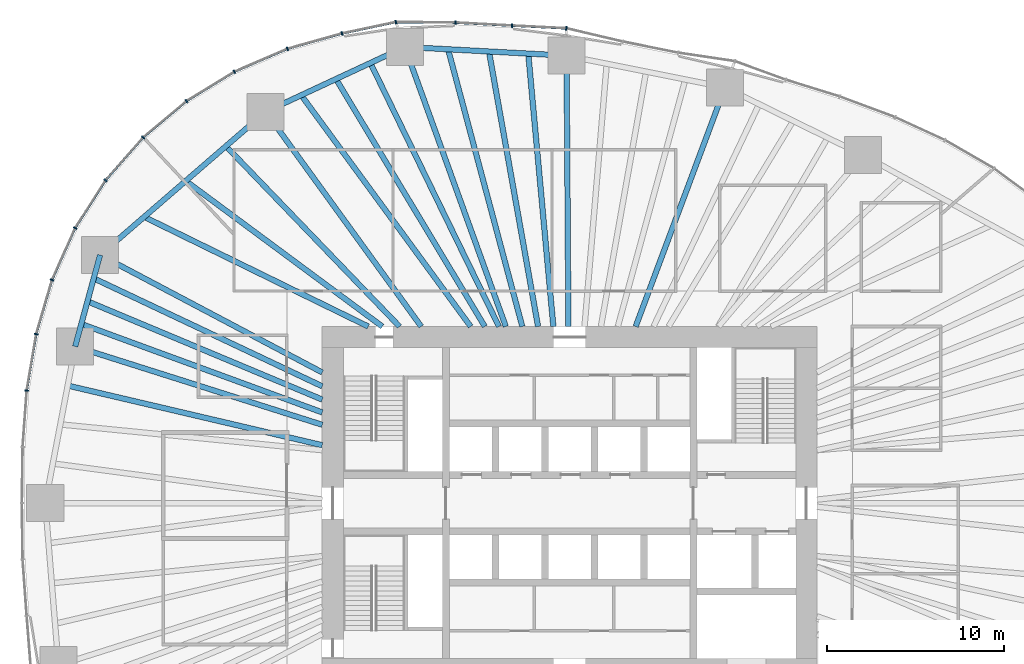
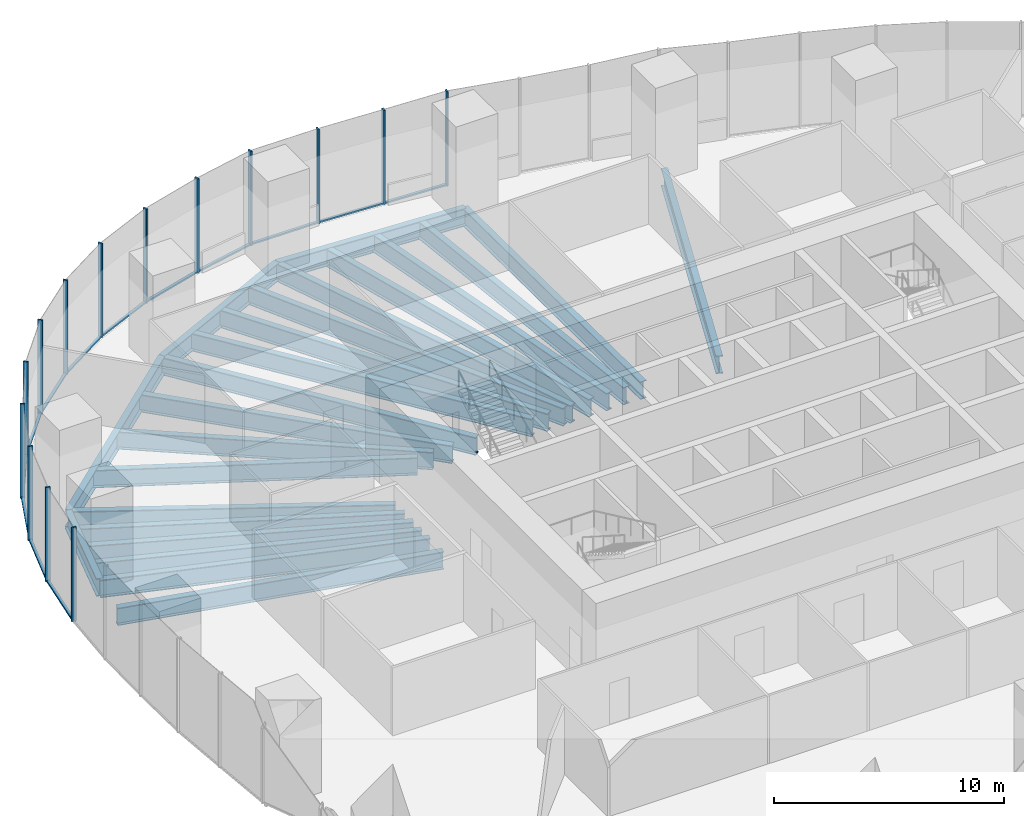
# One storey, part 5 of 20: 27 members, 23 beams, 5 elements without a shape of their own.
"""IFC4 building model written with IfcOpenShell, lengths in metres."""

from ifc_helpers import new_model, si_unit, direction, frame, origin, origin_2d, place, context, subcontext, project, spatial, rectangle, i_section, extrude, material, material_profile, profile_set, type_object, element, aggregate, save


model = new_model("IFC4")

# Units and contexts
model_context = context("Model", 3, precision=1e-05, world=origin(), true_north=direction((0.0, 1.0)))
body_context = subcontext(model_context, "Body", "Model", "MODEL_VIEW")
ifc_project = project(units=[si_unit("LENGTHUNIT", "METRE"), si_unit("AREAUNIT", "SQUARE_METRE"), si_unit("VOLUMEUNIT", "CUBIC_METRE"), si_unit("PLANEANGLEUNIT", "RADIAN"), si_unit("MASSUNIT", "GRAM", prefix="KILO")], contexts=[model_context])

# Site, building, storey
site_placement = place(None, origin())
site = spatial("IfcSite", under=ifc_project, at=site_placement, CompositionType="ELEMENT")
building_placement = place(site_placement, origin())
building = spatial("IfcBuilding", under=site, at=building_placement, Name="Ghaith Harvest Tower", CompositionType="ELEMENT")
storey_placement = place(building_placement, frame((0.0, 0.0, 20.0)))
storey = spatial("IfcBuildingStorey", under=building, at=storey_placement, Name="L04", CompositionType="ELEMENT", Elevation=20.0)

# Curtain wall, members
ifc_material_1 = material(Name="Black anodised aluminium and fritted glass", Category="aluminium")
curtain_wall_type = type_object("IfcCurtainWallType", Name="CW-F CURTAIN WALL", PredefinedType="NOTDEFINED", material=ifc_material_1)
curtain_wall_1_placement = place(storey_placement, origin())
curtain_wall_1 = element("IfcCurtainWall", 1, at=curtain_wall_1_placement, inside=storey, type_object=curtain_wall_type, Name="Curtain wall CW-F bay 06 L04", PredefinedType="NOTDEFINED")
ifc_material_2 = material(Name="Aluminium, black anodised", Category="aluminium")
ifc_material_profile_1 = material_profile(ifc_material_2, rectangle(XDim=0.080078125, YDim=0.219970703125, at=origin_2d()), Name="CW-F MULLION 80x220")
ifc_profile_set_1 = profile_set([ifc_material_profile_1], Name="Aluminium, black anodised")
member_type_1 = type_object("IfcMemberType", Name="CW-F MULLION 80x220", PredefinedType="MULLION", material=ifc_profile_set_1)
member_1_placement = place(storey_placement, frame((-0.183837890625, 26.877197265625, 0.0), z_axis=(0.0, 0.0, 1.0), x_axis=(-0.98971187143, 0.143074845976, 0.0)))
member_1 = element("IfcMember", 2, at=member_1_placement, type_object=member_type_1, Name="CW-F mullion 1 bay 06 L04", PredefinedType="MULLION", context=body_context, shape_type="SweptSolid", body=[
    extrude(rectangle(XDim=0.080078125, YDim=0.219970703125, at=origin_2d()), origin(), (0.0, 0.0, 1.0), 5.0),
])
member_2_placement = place(storey_placement, frame((-3.261962890625, 27.02978515625, 0.0), z_axis=(0.0, 0.0, 1.0), x_axis=(-0.998666923291, 0.051617597049, 0.0)))
member_2 = element("IfcMember", 3, at=member_2_placement, type_object=member_type_1, Name="CW-F mullion 2 bay 06 L04", PredefinedType="MULLION", context=body_context, shape_type="SweptSolid", body=[
    extrude(rectangle(XDim=0.080078125, YDim=0.219970703125, at=origin_2d()), origin(), (0.0, 0.0, 1.0), 5.0),
])
member_3_placement = place(storey_placement, frame((-6.465087890625, 27.20166015625, 0.0), z_axis=(0.0, 0.0, 1.0), x_axis=(-0.999527102163, 0.030750155138, 0.0)))
member_3 = element("IfcMember", 4, at=member_3_placement, type_object=member_type_1, Name="CW-F mullion 3 bay 06 L04", PredefinedType="MULLION", context=body_context, shape_type="SweptSolid", body=[
    extrude(rectangle(XDim=0.080078125, YDim=0.219970703125, at=origin_2d()), origin(), (0.0, 0.0, 1.0), 5.0),
])

curtain_wall_2_placement = place(storey_placement, origin())
curtain_wall_2 = element("IfcCurtainWall", 5, at=curtain_wall_2_placement, inside=storey, type_object=curtain_wall_type, Name="Curtain wall CW-F bay 07 L04", PredefinedType="NOTDEFINED")
member_4_placement = place(storey_placement, frame((-9.835693359375, 27.232177734375, 0.0), z_axis=(0.0, 0.0, 1.0), x_axis=(-0.995408459337, -0.095718332001, 0.0)))
member_4 = element("IfcMember", 6, at=member_4_placement, type_object=member_type_1, Name="CW-F mullion 1 bay 07 L04", PredefinedType="MULLION", context=body_context, shape_type="SweptSolid", body=[
    extrude(rectangle(XDim=0.080078125, YDim=0.219970703125, at=origin_2d()), origin(), (0.0, 0.0, 1.0), 5.0),
])
member_5_placement = place(storey_placement, frame((-12.880615234375, 26.5849609375, 0.0), z_axis=(0.0, 0.0, 1.0), x_axis=(-0.970824511782, -0.239791091, 0.0)))
member_5 = element("IfcMember", 7, at=member_5_placement, type_object=member_type_1, Name="CW-F mullion 2 bay 07 L04", PredefinedType="MULLION", context=body_context, shape_type="SweptSolid", body=[
    extrude(rectangle(XDim=0.080078125, YDim=0.219970703125, at=origin_2d()), origin(), (0.0, 0.0, 1.0), 5.0),
])
member_6_placement = place(storey_placement, frame((-15.97119140625, 25.716552734375, 0.0), z_axis=(0.0, 0.0, 1.0), x_axis=(-0.942293550527, -0.334787790451, 0.0)))
member_6 = element("IfcMember", 8, at=member_6_placement, type_object=member_type_1, Name="CW-F mullion 3 bay 07 L04", PredefinedType="MULLION", context=body_context, shape_type="SweptSolid", body=[
    extrude(rectangle(XDim=0.080078125, YDim=0.219970703125, at=origin_2d()), origin(), (0.0, 0.0, 1.0), 5.0),
])

curtain_wall_3_placement = place(storey_placement, origin())
curtain_wall_3 = element("IfcCurtainWall", 9, at=curtain_wall_3_placement, inside=storey, type_object=curtain_wall_type, Name="Curtain wall CW-F bay 08 L04", PredefinedType="NOTDEFINED")
member_7_placement = place(storey_placement, frame((-18.96728515625, 24.42236328125, 0.0), z_axis=(0.0, 0.0, 1.0), x_axis=(-0.887912253252, -0.460012859086, 0.0)))
member_7 = element("IfcMember", 10, at=member_7_placement, type_object=member_type_1, Name="CW-F mullion 1 bay 08 L04", PredefinedType="MULLION", context=body_context, shape_type="SweptSolid", body=[
    extrude(rectangle(XDim=0.080078125, YDim=0.219970703125, at=origin_2d()), origin(), (0.0, 0.0, 1.0), 5.0),
])
member_8_placement = place(storey_placement, frame((-21.681640625, 22.758056640625, 0.0), z_axis=(0.0, 0.0, 1.0), x_axis=(-0.811400750439, -0.584490224202, 0.0)))
member_8 = element("IfcMember", 11, at=member_8_placement, type_object=member_type_1, Name="CW-F mullion 2 bay 08 L04", PredefinedType="MULLION", context=body_context, shape_type="SweptSolid", body=[
    extrude(rectangle(XDim=0.080078125, YDim=0.219970703125, at=origin_2d()), origin(), (0.0, 0.0, 1.0), 5.0),
])
member_9_placement = place(storey_placement, frame((-24.139404296875, 20.696533203125, 0.0), z_axis=(0.0, 0.0, 1.0), x_axis=(-0.714663248213, -0.699468685256, 0.0)))
member_9 = element("IfcMember", 12, at=member_9_placement, type_object=member_type_1, Name="CW-F mullion 3 bay 08 L04", PredefinedType="MULLION", context=body_context, shape_type="SweptSolid", body=[
    extrude(rectangle(XDim=0.080078125, YDim=0.219970703125, at=origin_2d()), origin(), (0.0, 0.0, 1.0), 5.0),
])

curtain_wall_4_placement = place(storey_placement, origin())
curtain_wall_4 = element("IfcCurtainWall", 13, at=curtain_wall_4_placement, inside=storey, type_object=curtain_wall_type, Name="Curtain wall CW-F bay 09 L04", PredefinedType="NOTDEFINED")
member_10_placement = place(storey_placement, frame((-26.26318359375, 18.274169921875, 0.0), z_axis=(0.0, 0.0, 1.0), x_axis=(-0.599861600644, -0.800103780814, 0.0)))
member_10 = element("IfcMember", 14, at=member_10_placement, type_object=member_type_1, Name="CW-F mullion 1 bay 09 L04", PredefinedType="MULLION", context=body_context, shape_type="SweptSolid", body=[
    extrude(rectangle(XDim=0.080078125, YDim=0.219970703125, at=origin_2d()), origin(), (0.0, 0.0, 1.0), 5.0),
])
member_11_placement = place(storey_placement, frame((-27.986328125, 15.5654296875, 0.0), z_axis=(0.0, 0.0, 1.0), x_axis=(-0.473265082758, -0.880920065297, 0.0)))
member_11 = element("IfcMember", 15, at=member_11_placement, type_object=member_type_1, Name="CW-F mullion 2 bay 09 L04", PredefinedType="MULLION", context=body_context, shape_type="SweptSolid", body=[
    extrude(rectangle(XDim=0.080078125, YDim=0.219970703125, at=origin_2d()), origin(), (0.0, 0.0, 1.0), 5.0),
])
member_12_placement = place(storey_placement, frame((-29.29248046875, 12.63525390625, 0.0), z_axis=(0.0, 0.0, 1.0), x_axis=(-0.344618322502, -0.938742889079, 0.0)))
member_12 = element("IfcMember", 16, at=member_12_placement, type_object=member_type_1, Name="CW-F mullion 3 bay 09 L04", PredefinedType="MULLION", context=body_context, shape_type="SweptSolid", body=[
    extrude(rectangle(XDim=0.080078125, YDim=0.219970703125, at=origin_2d()), origin(), (0.0, 0.0, 1.0), 5.0),
])

curtain_wall_5_placement = place(storey_placement, origin())
curtain_wall_5 = element("IfcCurtainWall", 17, at=curtain_wall_5_placement, inside=storey, type_object=curtain_wall_type, Name="Curtain wall CW-F bay 10 L04", PredefinedType="NOTDEFINED")
member_13_placement = place(storey_placement, frame((-30.1884765625, 9.567138671875, 0.0), z_axis=(0.0, 0.0, 1.0), x_axis=(-0.222967363645, -0.97482590997, 0.0)))
member_13 = element("IfcMember", 18, at=member_13_placement, type_object=member_type_1, Name="CW-F mullion 1 bay 10 L04", PredefinedType="MULLION", context=body_context, shape_type="SweptSolid", body=[
    extrude(rectangle(XDim=0.080078125, YDim=0.219970703125, at=origin_2d()), origin(), (0.0, 0.0, 1.0), 5.0),
])
member_14_placement = place(storey_placement, frame((-30.724365234375, 6.37548828125, 0.0), z_axis=(0.0, 0.0, 1.0), x_axis=(-0.119352816132, -0.99285190501, 0.0)))
member_14 = element("IfcMember", 19, at=member_14_placement, type_object=member_type_1, Name="CW-F mullion 2 bay 10 L04", PredefinedType="MULLION", context=body_context, shape_type="SweptSolid", body=[
    extrude(rectangle(XDim=0.080078125, YDim=0.219970703125, at=origin_2d()), origin(), (0.0, 0.0, 1.0), 5.0),
])

# Member
ifc_material_3 = material(Name="Aluminium, black anodised", Category="aluminium")
ifc_material_profile_2 = material_profile(ifc_material_3, rectangle(XDim=0.139892578125, YDim=0.080078125, at=origin_2d()), Name="CW-F TRANSOM 140x80")
ifc_profile_set_2 = profile_set([ifc_material_profile_2], Name="Aluminium, black anodised")
member_type_2 = type_object("IfcMemberType", Name="CW-F TRANSOM 140x80", PredefinedType="USERDEFINED", material=ifc_profile_set_2)
member_15_placement = place(storey_placement, frame((-0.223876953125, 26.879150390625, 0.0400390625), z_axis=(-0.998772539109, 0.049531960612, 0.0), x_axis=(-0.049531960612, -0.998772539109, 0.0)))
member_15 = element("IfcMember", 20, at=member_15_placement, type_object=member_type_2, Name="CW-F transom 1 bay 06 L04", ObjectType="TRANSOM", PredefinedType="USERDEFINED", context=body_context, shape_type="SweptSolid", body=[
    extrude(rectangle(XDim=0.139892578125, YDim=0.080078125, at=origin_2d()), origin(), (0.0, 0.0, 1.0), 3.001708984375),
])

member_16_placement = place(storey_placement, frame((-3.3017578125, 27.031982421875, 0.0400390625), z_axis=(-0.99856142387, 0.053619798202, 0.0), x_axis=(-0.053619798202, -0.99856142387, 0.0)))
member_16 = element("IfcMember", 21, at=member_16_placement, type_object=member_type_2, Name="CW-F transom 2 bay 06 L04", ObjectType="TRANSOM", PredefinedType="USERDEFINED", context=body_context, shape_type="SweptSolid", body=[
    extrude(rectangle(XDim=0.139892578125, YDim=0.080078125, at=origin_2d()), origin(), (0.0, 0.0, 1.0), 3.1279296875),
])

member_17_placement = place(storey_placement, frame((-6.505126953125, 27.2021484375, 0.0400390625), z_axis=(-0.999959703847, 0.008977231352, 0.0), x_axis=(-0.008977231352, -0.999959703847, 0.0)))
member_17 = element("IfcMember", 22, at=member_17_placement, type_object=member_type_2, Name="CW-F transom 3 bay 06 L04", ObjectType="TRANSOM", PredefinedType="USERDEFINED", context=body_context, shape_type="SweptSolid", body=[
    extrude(rectangle(XDim=0.139892578125, YDim=0.080078125, at=origin_2d()), origin(), (0.0, 0.0, 1.0), 3.290771484375),
])

aggregate(curtain_wall_1, [member_1, member_15, member_2, member_16, member_3, member_17])

member_18_placement = place(storey_placement, frame((-9.874755859375, 27.2236328125, 0.0400390625), z_axis=(-0.978160283029, -0.207852016359, 0.0), x_axis=(0.207852016359, -0.978160283029, 0.0)))
member_18 = element("IfcMember", 23, at=member_18_placement, type_object=member_type_2, Name="CW-F transom 1 bay 07 L04", ObjectType="TRANSOM", PredefinedType="USERDEFINED", context=body_context, shape_type="SweptSolid", body=[
    extrude(rectangle(XDim=0.139892578125, YDim=0.080078125, at=origin_2d()), origin(), (0.0, 0.0, 1.0), 3.03271484375),
])

member_19_placement = place(storey_placement, frame((-12.9189453125, 26.573974609375, 0.0400390625), z_axis=(-0.962727128991, -0.270474536888, 0.0), x_axis=(0.270474536888, -0.962727128991, 0.0)))
member_19 = element("IfcMember", 24, at=member_19_placement, type_object=member_type_2, Name="CW-F transom 2 bay 07 L04", ObjectType="TRANSOM", PredefinedType="USERDEFINED", context=body_context, shape_type="SweptSolid", body=[
    extrude(rectangle(XDim=0.139892578125, YDim=0.080078125, at=origin_2d()), origin(), (0.0, 0.0, 1.0), 3.13037109375),
])

member_20_placement = place(storey_placement, frame((-16.008056640625, 25.70068359375, 0.0400390625), z_axis=(-0.9180027124, -0.396574104079, 0.0), x_axis=(0.396574104079, -0.9180027124, 0.0)))
member_20 = element("IfcMember", 25, at=member_20_placement, type_object=member_type_2, Name="CW-F transom 3 bay 07 L04", ObjectType="TRANSOM", PredefinedType="USERDEFINED", context=body_context, shape_type="SweptSolid", body=[
    extrude(rectangle(XDim=0.139892578125, YDim=0.080078125, at=origin_2d()), origin(), (0.0, 0.0, 1.0), 3.183349609375),
])

aggregate(curtain_wall_2, [member_4, member_18, member_5, member_19, member_6, member_20])

member_21_placement = place(storey_placement, frame((-19.001220703125, 24.4013671875, 0.0400390625), z_axis=(-0.852561687195, -0.522626606219, 0.0), x_axis=(0.522626606219, -0.852561687195, 0.0)))
member_21 = element("IfcMember", 26, at=member_21_placement, type_object=member_type_2, Name="CW-F transom 1 bay 08 L04", ObjectType="TRANSOM", PredefinedType="USERDEFINED", context=body_context, shape_type="SweptSolid", body=[
    extrude(rectangle(XDim=0.139892578125, YDim=0.080078125, at=origin_2d()), origin(), (0.0, 0.0, 1.0), 3.104248046875),
])

member_22_placement = place(storey_placement, frame((-21.71240234375, 22.732421875, 0.0400390625), z_axis=(-0.766144434184, -0.642668426149, 0.0), x_axis=(0.642668426149, -0.766144434184, 0.0)))
member_22 = element("IfcMember", 27, at=member_22_placement, type_object=member_type_2, Name="CW-F transom 2 bay 08 L04", ObjectType="TRANSOM", PredefinedType="USERDEFINED", context=body_context, shape_type="SweptSolid", body=[
    extrude(rectangle(XDim=0.139892578125, YDim=0.080078125, at=origin_2d()), origin(), (0.0, 0.0, 1.0), 3.1279296875),
])

member_23_placement = place(storey_placement, frame((-24.165771484375, 20.66650390625, 0.0400390625), z_axis=(-0.65923052982, -0.751940894322, 0.0), x_axis=(0.751940894322, -0.65923052982, 0.0)))
member_23 = element("IfcMember", 28, at=member_23_placement, type_object=member_type_2, Name="CW-F transom 3 bay 08 L04", ObjectType="TRANSOM", PredefinedType="USERDEFINED", context=body_context, shape_type="SweptSolid", body=[
    extrude(rectangle(XDim=0.139892578125, YDim=0.080078125, at=origin_2d()), origin(), (0.0, 0.0, 1.0), 3.1416015625),
])

aggregate(curtain_wall_3, [member_7, member_21, member_8, member_22, member_9, member_23])

member_24_placement = place(storey_placement, frame((-26.28466796875, 18.240234375, 0.0400390625), z_axis=(-0.536754366643, -0.843738555412, 0.0), x_axis=(0.843738555412, -0.536754366643, 0.0)))
member_24 = element("IfcMember", 29, at=member_24_placement, type_object=member_type_2, Name="CW-F transom 1 bay 09 L04", ObjectType="TRANSOM", PredefinedType="USERDEFINED", context=body_context, shape_type="SweptSolid", body=[
    extrude(rectangle(XDim=0.139892578125, YDim=0.080078125, at=origin_2d()), origin(), (0.0, 0.0, 1.0), 3.13037109375),
])

member_25_placement = place(storey_placement, frame((-28.002685546875, 15.52880859375, 0.0400390625), z_axis=(-0.407123143204, -0.913373278714, 0.0), x_axis=(0.913373278714, -0.407123143204, 0.0)))
member_25 = element("IfcMember", 30, at=member_25_placement, type_object=member_type_2, Name="CW-F transom 2 bay 09 L04", ObjectType="TRANSOM", PredefinedType="USERDEFINED", context=body_context, shape_type="SweptSolid", body=[
    extrude(rectangle(XDim=0.139892578125, YDim=0.080078125, at=origin_2d()), origin(), (0.0, 0.0, 1.0), 3.1279296875),
])

member_26_placement = place(storey_placement, frame((-29.3037109375, 12.596923828125, 0.0400390625), z_axis=(-0.280324903873, -0.959905176707, 0.0), x_axis=(0.959905176707, -0.280324903873, 0.0)))
member_26 = element("IfcMember", 31, at=member_26_placement, type_object=member_type_2, Name="CW-F transom 3 bay 09 L04", ObjectType="TRANSOM", PredefinedType="USERDEFINED", context=body_context, shape_type="SweptSolid", body=[
    extrude(rectangle(XDim=0.139892578125, YDim=0.080078125, at=origin_2d()), origin(), (0.0, 0.0, 1.0), 3.1162109375),
])

aggregate(curtain_wall_4, [member_10, member_24, member_11, member_25, member_12, member_26])

member_27_placement = place(storey_placement, frame((-30.195068359375, 9.52783203125, 0.0400390625), z_axis=(-0.165527763099, -0.986205130611, 0.0), x_axis=(0.986205130611, -0.165527763099, 0.0)))
member_27 = element("IfcMember", 32, at=member_27_placement, type_object=member_type_2, Name="CW-F transom 1 bay 10 L04", ObjectType="TRANSOM", PredefinedType="USERDEFINED", context=body_context, shape_type="SweptSolid", body=[
    extrude(rectangle(XDim=0.139892578125, YDim=0.080078125, at=origin_2d()), origin(), (0.0, 0.0, 1.0), 3.15625),
])

aggregate(curtain_wall_5, [member_13, member_27, member_14])

# Beams
ifc_material_4 = material(Name="Steel ASTM A992 Grade 50", Category="steel")
ifc_material_profile_3 = material_profile(ifc_material_4, i_section(OverallWidth=0.306884765625, OverallDepth=0.94189453125, WebThickness=0.022216796875, FlangeThickness=0.039794921875, at=origin_2d()), Name="W920X345")
ifc_profile_set_3 = profile_set([ifc_material_profile_3], Name="Steel ASTM A992 Grade 50")
beam_type_1 = type_object("IfcBeamType", Name="E920-345 W920X345", PredefinedType="SPANDREL", material=ifc_profile_set_3)
beam_1_placement = place(storey_placement, frame((-0.173095703125, 25.326904296875, -0.6708984375), z_axis=(-0.998545840532, 0.053909223293, 0.0), x_axis=(-0.053909223293, -0.998545840532, 0.0)))
element("IfcBeam", 33, at=beam_1_placement, inside=storey, type_object=beam_type_1, Name="Edge beam E06 L04", PredefinedType="SPANDREL", context=body_context, shape_type="SweptSolid", body=[
    extrude(i_section(OverallWidth=0.306884765625, OverallDepth=0.94189453125, WebThickness=0.022216796875, FlangeThickness=0.039794921875, at=origin_2d()), origin(), (0.0, 0.0, 1.0), 9.166259765625),
])
beam_2_placement = place(storey_placement, frame((-9.325927734375, 25.821044921875, -0.6708984375), z_axis=(-0.906373259523, -0.422477827137, 0.0), x_axis=(0.422477827137, -0.906373259523, 0.0)))
element("IfcBeam", 34, at=beam_2_placement, inside=storey, type_object=beam_type_1, Name="Edge beam E07 L04", PredefinedType="SPANDREL", context=body_context, shape_type="SweptSolid", body=[
    extrude(i_section(OverallWidth=0.306884765625, OverallDepth=0.94189453125, WebThickness=0.022216796875, FlangeThickness=0.039794921875, at=origin_2d()), origin(), (0.0, 0.0, 1.0), 8.689453125),
])
beam_3_placement = place(storey_placement, frame((-17.201904296875, 22.14990234375, -0.6708984375), z_axis=(-0.756392158274, -0.654118416574, 0.0), x_axis=(0.654118416574, -0.756392158274, 0.0)))
element("IfcBeam", 35, at=beam_3_placement, inside=storey, type_object=beam_type_1, Name="Edge beam E08 L04", PredefinedType="SPANDREL", context=body_context, shape_type="SweptSolid", body=[
    extrude(i_section(OverallWidth=0.306884765625, OverallDepth=0.94189453125, WebThickness=0.022216796875, FlangeThickness=0.039794921875, at=origin_2d()), origin(), (0.0, 0.0, 1.0), 12.38916015625),
])
beam_4_placement = place(storey_placement, frame((-26.572998046875, 14.0458984375, -0.6708984375), z_axis=(-0.262724740433, -0.964870825947, 0.0), x_axis=(0.964870825947, -0.262724740433, 0.0)))
element("IfcBeam", 36, at=beam_4_placement, inside=storey, type_object=beam_type_1, Name="Edge beam E09 L04", PredefinedType="SPANDREL", context=body_context, shape_type="SweptSolid", body=[
    extrude(i_section(OverallWidth=0.306884765625, OverallDepth=0.94189453125, WebThickness=0.022216796875, FlangeThickness=0.039794921875, at=origin_2d()), origin(), (0.0, 0.0, 1.0), 5.366455078125),
])
ifc_material_5 = material(Name="Steel ASTM A992 Grade 50", Category="steel")
ifc_material_profile_4 = material_profile(ifc_material_5, i_section(OverallWidth=0.306884765625, OverallDepth=0.94189453125, WebThickness=0.022216796875, FlangeThickness=0.039794921875, at=origin_2d()), Name="W920X345")
ifc_profile_set_4 = profile_set([ifc_material_profile_4], Name="Steel ASTM A992 Grade 50")
beam_type_2 = type_object("IfcBeamType", Name="G920-345 W920X345", PredefinedType="BEAM", material=ifc_profile_set_4)
beam_5_placement = place(storey_placement, frame((3.73828125, 10.0, -0.6708984375), z_axis=(0.350150596156, 0.936693418367, 0.0), x_axis=(-0.936693418367, 0.350150596156, 0.0)))
element("IfcBeam", 37, at=beam_5_placement, inside=storey, type_object=beam_type_2, Name="Radial girder G05 L04", PredefinedType="BEAM", context=body_context, shape_type="SweptSolid", body=[
    extrude(i_section(OverallWidth=0.306884765625, OverallDepth=0.94189453125, WebThickness=0.022216796875, FlangeThickness=0.039794921875, at=origin_2d()), origin(), (0.0, 0.0, 1.0), 14.44140625),
])
beam_6_placement = place(storey_placement, frame((-0.068359375, 10.0, -0.6708984375), z_axis=(-0.006833335732, 0.999976652489, 0.0), x_axis=(-0.999976652489, -0.006833335732, 0.0)))
element("IfcBeam", 38, at=beam_6_placement, inside=storey, type_object=beam_type_2, Name="Radial girder G06 L04", PredefinedType="BEAM", context=body_context, shape_type="SweptSolid", body=[
    extrude(i_section(OverallWidth=0.306884765625, OverallDepth=0.94189453125, WebThickness=0.022216796875, FlangeThickness=0.039794921875, at=origin_2d()), origin(), (0.0, 0.0, 1.0), 15.3271484375),
])
beam_7_placement = place(storey_placement, frame((-3.61181640625, 10.0, -0.6708984375), z_axis=(-0.339694751271, 0.940535738799, 0.0), x_axis=(-0.940535738799, -0.339694751271, 0.0)))
element("IfcBeam", 39, at=beam_7_placement, inside=storey, type_object=beam_type_2, Name="Radial girder G07 L04", PredefinedType="BEAM", context=body_context, shape_type="SweptSolid", body=[
    extrude(i_section(OverallWidth=0.306884765625, OverallDepth=0.94189453125, WebThickness=0.022216796875, FlangeThickness=0.039794921875, at=origin_2d()), origin(), (0.0, 0.0, 1.0), 16.8212890625),
])
beam_8_placement = place(storey_placement, frame((-8.39990234375, 10.0, -0.6708984375), z_axis=(-0.586675813287, 0.809821887889, 0.0), x_axis=(-0.809821887889, -0.586675813287, 0.0)))
element("IfcBeam", 40, at=beam_8_placement, inside=storey, type_object=beam_type_2, Name="Radial girder G08 L04", PredefinedType="BEAM", context=body_context, shape_type="SweptSolid", body=[
    extrude(i_section(OverallWidth=0.306884765625, OverallDepth=0.94189453125, WebThickness=0.022216796875, FlangeThickness=0.039794921875, at=origin_2d()), origin(), (0.0, 0.0, 1.0), 15.003173828125),
])
beam_9_placement = place(storey_placement, frame((-14.0, 7.39990234375, -0.6708984375), z_axis=(-0.88408713845, 0.467322085533, 0.0), x_axis=(-0.467322085533, -0.88408713845, 0.0)))
element("IfcBeam", 41, at=beam_9_placement, inside=storey, type_object=beam_type_2, Name="Radial girder G09 L04", PredefinedType="BEAM", context=body_context, shape_type="SweptSolid", body=[
    extrude(i_section(OverallWidth=0.306884765625, OverallDepth=0.94189453125, WebThickness=0.022216796875, FlangeThickness=0.039794921875, at=origin_2d()), origin(), (0.0, 0.0, 1.0), 14.221435546875),
])
beam_10_placement = place(storey_placement, frame((-14.0, 4.43701171875, -0.6708984375), z_axis=(-0.953283605796, 0.302076756671, 0.0), x_axis=(-0.302076756671, -0.953283605796, 0.0)))
element("IfcBeam", 42, at=beam_10_placement, inside=storey, type_object=beam_type_2, Name="Radial girder G10 L04", PredefinedType="BEAM", context=body_context, shape_type="SweptSolid", body=[
    extrude(i_section(OverallWidth=0.306884765625, OverallDepth=0.94189453125, WebThickness=0.022216796875, FlangeThickness=0.039794921875, at=origin_2d()), origin(), (0.0, 0.0, 1.0), 14.668212890625),
])
ifc_material_6 = material(Name="Steel ASTM A992 Grade 50", Category="steel")
ifc_material_profile_5 = material_profile(ifc_material_6, i_section(OverallWidth=0.31005859375, OverallDepth=0.927001953125, WebThickness=0.019287109375, FlangeThickness=0.031982421875, at=origin_2d()), Name="W920X289")
ifc_profile_set_5 = profile_set([ifc_material_profile_5], Name="Steel ASTM A992 Grade 50")
beam_type_3 = type_object("IfcBeamType", Name="J920-289 W920X289", PredefinedType="JOIST", material=ifc_profile_set_5)
beam_11_placement = place(storey_placement, frame((-0.92041015625, 10.0, -0.66357421875), z_axis=(-0.091647013776, 0.995791556936, 0.0), x_axis=(-0.995791556936, -0.091647013776, 0.0)))
element("IfcBeam", 43, at=beam_11_placement, inside=storey, type_object=beam_type_3, Name="Joist J06.1 L04", PredefinedType="JOIST", context=body_context, shape_type="SweptSolid", body=[
    extrude(i_section(OverallWidth=0.31005859375, OverallDepth=0.927001953125, WebThickness=0.019287109375, FlangeThickness=0.031982421875, at=origin_2d()), origin(), (0.0, 0.0, 1.0), 15.50927734375),
])
beam_12_placement = place(storey_placement, frame((-1.785888671875, 10.0, -0.66357421875), z_axis=(-0.175789035136, 0.984427861819, 0.0), x_axis=(-0.984427861819, -0.175789035136, 0.0)))
element("IfcBeam", 44, at=beam_12_placement, inside=storey, type_object=beam_type_3, Name="Joist J06.2 L04", PredefinedType="JOIST", context=body_context, shape_type="SweptSolid", body=[
    extrude(i_section(OverallWidth=0.31005859375, OverallDepth=0.927001953125, WebThickness=0.019287109375, FlangeThickness=0.031982421875, at=origin_2d()), origin(), (0.0, 0.0, 1.0), 15.810302734375),
])
beam_13_placement = place(storey_placement, frame((-10.60009765625, 10.0, -0.66357421875), z_axis=(-0.803663089107, 0.595084564752, 0.0), x_axis=(-0.595084564752, -0.803663089107, 0.0)))
element("IfcBeam", 45, at=beam_13_placement, inside=storey, type_object=beam_type_3, Name="Joist J08.2 L04", PredefinedType="JOIST", context=body_context, shape_type="SweptSolid", body=[
    extrude(i_section(OverallWidth=0.31005859375, OverallDepth=0.927001953125, WebThickness=0.019287109375, FlangeThickness=0.031982421875, at=origin_2d()), origin(), (0.0, 0.0, 1.0), 13.843505859375),
])
beam_14_placement = place(storey_placement, frame((-11.39990234375, 10.0, -0.66357421875), z_axis=(-0.898274832354, 0.439434096946, 0.0), x_axis=(-0.439434096946, -0.898274832354, 0.0)))
element("IfcBeam", 46, at=beam_14_placement, inside=storey, type_object=beam_type_3, Name="Joist J08.3 L04", PredefinedType="JOIST", context=body_context, shape_type="SweptSolid", body=[
    extrude(i_section(OverallWidth=0.31005859375, OverallDepth=0.927001953125, WebThickness=0.019287109375, FlangeThickness=0.031982421875, at=origin_2d()), origin(), (0.0, 0.0, 1.0), 14.114990234375),
])
beam_15_placement = place(storey_placement, frame((-14.0, 6.614990234375, -0.66357421875), z_axis=(-0.904153428261, 0.427207886354, 0.0), x_axis=(-0.427207886354, -0.904153428261, 0.0)))
element("IfcBeam", 47, at=beam_15_placement, inside=storey, type_object=beam_type_3, Name="Joist J09.1 L04", PredefinedType="JOIST", context=body_context, shape_type="SweptSolid", body=[
    extrude(i_section(OverallWidth=0.31005859375, OverallDepth=0.927001953125, WebThickness=0.019287109375, FlangeThickness=0.031982421875, at=origin_2d()), origin(), (0.0, 0.0, 1.0), 14.303466796875),
])
beam_16_placement = place(storey_placement, frame((-14.0, 5.862548828125, -0.66357421875), z_axis=(-0.922385943167, 0.38626955853, 0.0), x_axis=(-0.38626955853, -0.922385943167, 0.0)))
element("IfcBeam", 48, at=beam_16_placement, inside=storey, type_object=beam_type_3, Name="Joist J09.2 L04", PredefinedType="JOIST", context=body_context, shape_type="SweptSolid", body=[
    extrude(i_section(OverallWidth=0.31005859375, OverallDepth=0.927001953125, WebThickness=0.019287109375, FlangeThickness=0.031982421875, at=origin_2d()), origin(), (0.0, 0.0, 1.0), 14.404296875),
])
beam_17_placement = place(storey_placement, frame((-14.0, 5.137939453125, -0.66357421875), z_axis=(-0.93877541132, 0.344529718748, 0.0), x_axis=(-0.344529718748, -0.93877541132, 0.0)))
element("IfcBeam", 49, at=beam_17_placement, inside=storey, type_object=beam_type_3, Name="Joist J09.3 L04", PredefinedType="JOIST", context=body_context, shape_type="SweptSolid", body=[
    extrude(i_section(OverallWidth=0.31005859375, OverallDepth=0.927001953125, WebThickness=0.019287109375, FlangeThickness=0.031982421875, at=origin_2d()), origin(), (0.0, 0.0, 1.0), 14.525390625),
])
beam_18_placement = place(storey_placement, frame((-14.0, 3.280517578125, -0.66357421875), z_axis=(-0.973623012228, 0.228162727151, 0.0), x_axis=(-0.228162727151, -0.973623012228, 0.0)))
element("IfcBeam", 50, at=beam_18_placement, inside=storey, type_object=beam_type_3, Name="Joist J10.1 L04", PredefinedType="JOIST", context=body_context, shape_type="SweptSolid", body=[
    extrude(i_section(OverallWidth=0.31005859375, OverallDepth=0.927001953125, WebThickness=0.019287109375, FlangeThickness=0.031982421875, at=origin_2d()), origin(), (0.0, 0.0, 1.0), 14.795166015625),
])
ifc_material_7 = material(Name="Steel ASTM A992 Grade 50", Category="steel")
ifc_material_profile_6 = material_profile(ifc_material_7, i_section(OverallWidth=0.306884765625, OverallDepth=0.94189453125, WebThickness=0.022216796875, FlangeThickness=0.039794921875, at=origin_2d()), Name="W920X345")
ifc_profile_set_6 = profile_set([ifc_material_profile_6], Name="Steel ASTM A992 Grade 50")
beam_type_4 = type_object("IfcBeamType", Name="J920-345 W920X345", PredefinedType="JOIST", material=ifc_profile_set_6)
beam_19_placement = place(storey_placement, frame((-2.677978515625, 10.0, -0.6708984375), z_axis=(-0.258679482451, 0.965963211183, 0.0), x_axis=(-0.965963211183, -0.258679482451, 0.0)))
element("IfcBeam", 51, at=beam_19_placement, inside=storey, type_object=beam_type_4, Name="Joist J06.3 L04", PredefinedType="JOIST", context=body_context, shape_type="SweptSolid", body=[
    extrude(i_section(OverallWidth=0.306884765625, OverallDepth=0.94189453125, WebThickness=0.022216796875, FlangeThickness=0.039794921875, at=origin_2d()), origin(), (0.0, 0.0, 1.0), 16.24169921875),
])
beam_20_placement = place(storey_placement, frame((-4.0, 10.0, -0.6708984375), z_axis=(-0.438505380705, 0.898728563635, 0.0), x_axis=(-0.898728563635, -0.438505380705, 0.0)))
element("IfcBeam", 52, at=beam_20_placement, inside=storey, type_object=beam_type_4, Name="Joist J07.1 L04", PredefinedType="JOIST", context=body_context, shape_type="SweptSolid", body=[
    extrude(i_section(OverallWidth=0.306884765625, OverallDepth=0.94189453125, WebThickness=0.022216796875, FlangeThickness=0.039794921875, at=origin_2d()), origin(), (0.0, 0.0, 1.0), 16.592529296875),
])
beam_21_placement = place(storey_placement, frame((-4.800048828125, 10.0, -0.6708984375), z_axis=(-0.515358894704, 0.85697445099, 0.0), x_axis=(-0.85697445099, -0.515358894704, 0.0)))
element("IfcBeam", 53, at=beam_21_placement, inside=storey, type_object=beam_type_4, Name="Joist J07.2 L04", PredefinedType="JOIST", context=body_context, shape_type="SweptSolid", body=[
    extrude(i_section(OverallWidth=0.306884765625, OverallDepth=0.94189453125, WebThickness=0.022216796875, FlangeThickness=0.039794921875, at=origin_2d()), origin(), (0.0, 0.0, 1.0), 16.34228515625),
])
beam_22_placement = place(storey_placement, frame((-5.60009765625, 10.0, -0.6708984375), z_axis=(-0.591008736068, 0.806665155992, 0.0), x_axis=(-0.806665155992, -0.591008736068, 0.0)))
element("IfcBeam", 54, at=beam_22_placement, inside=storey, type_object=beam_type_4, Name="Joist J07.3 L04", PredefinedType="JOIST", context=body_context, shape_type="SweptSolid", body=[
    extrude(i_section(OverallWidth=0.306884765625, OverallDepth=0.94189453125, WebThickness=0.022216796875, FlangeThickness=0.039794921875, at=origin_2d()), origin(), (0.0, 0.0, 1.0), 16.22509765625),
])
beam_23_placement = place(storey_placement, frame((-9.626708984375, 10.0, -0.6708984375), z_axis=(-0.693535693616, 0.720422266231, 0.0), x_axis=(-0.720422266231, -0.693535693616, 0.0)))
element("IfcBeam", 55, at=beam_23_placement, inside=storey, type_object=beam_type_4, Name="Joist J08.1 L04", PredefinedType="JOIST", context=body_context, shape_type="SweptSolid", body=[
    extrude(i_section(OverallWidth=0.306884765625, OverallDepth=0.94189453125, WebThickness=0.022216796875, FlangeThickness=0.039794921875, at=origin_2d()), origin(), (0.0, 0.0, 1.0), 14.16552734375),
])

save(model, "model.ifc")
